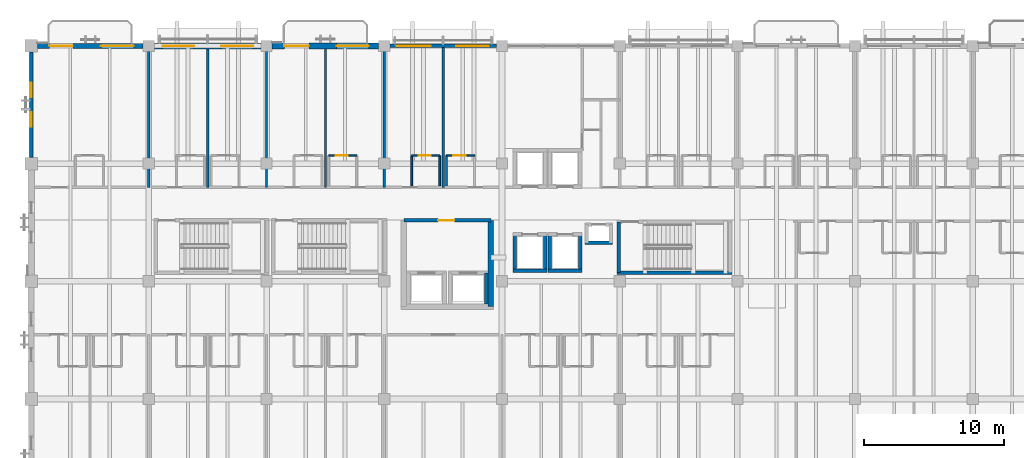
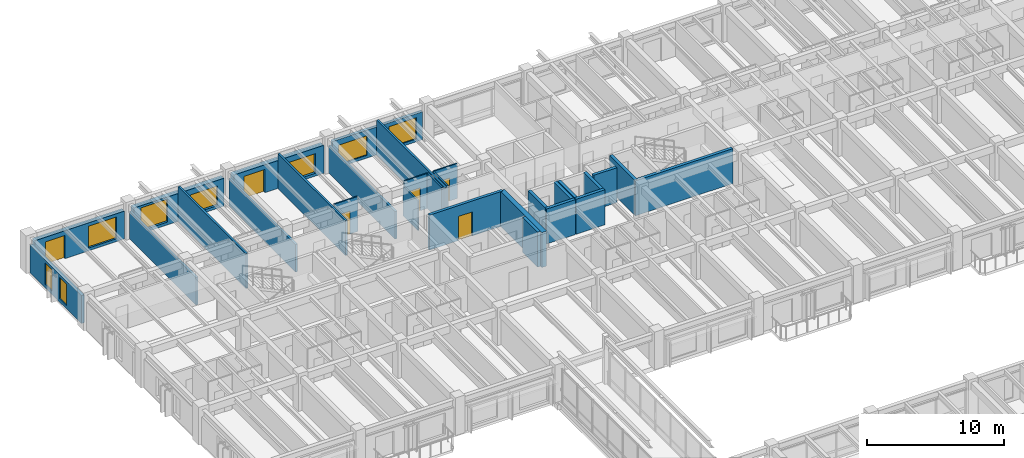
# One storey, part 87 of 123: 29 walls, 8 windows, 6 doors, 14 openings.
"""IFC4 building model written with IfcOpenShell, lengths in metres."""

from ifc_helpers import new_model, si_unit, direction, frame, frame_2d, origin, place, context, subcontext, project, spatial, rectangle, extrude, material, layer, layer_set, type_object, element, fill, save


model = new_model("IFC4")

# Units and contexts
model_context = context("Model", 3, precision=1e-05, world=origin(), true_north=direction((0.0, 1.0)))
body_context = subcontext(model_context, "Body", "Model", "MODEL_VIEW")
ifc_project = project(units=[si_unit("LENGTHUNIT", "METRE"), si_unit("AREAUNIT", "SQUARE_METRE"), si_unit("VOLUMEUNIT", "CUBIC_METRE"), si_unit("PLANEANGLEUNIT", "RADIAN"), si_unit("MASSUNIT", "GRAM", prefix="KILO")], contexts=[model_context])

# Site, building, storey
site_placement = place(None, origin())
site = spatial("IfcSite", under=ifc_project, at=site_placement, CompositionType="ELEMENT")
building_placement = place(site_placement, origin())
building = spatial("IfcBuilding", under=site, at=building_placement, Name="Cumbredor Promenade Congress Hotel", CompositionType="ELEMENT")
storey_placement = place(building_placement, frame((0.0, 0.0, 11.760009765625)))
storey = spatial("IfcBuildingStorey", under=building, at=storey_placement, Name="L03", CompositionType="ELEMENT", Elevation=11.760009765625)

# Wall
ifc_material_1 = material(Name="Concrete C50/60", Category="concrete")
ifc_layer_1 = layer(ifc_material_1, 0.39990234375, Name="Concrete C50/60", Category="concrete")
ifc_layer_set_1 = layer_set([ifc_layer_1], Name="Concrete C50/60")
wall_type_1 = type_object("IfcWallType", Name="Seismic Shear Core Wall 400mm", PredefinedType="SHEAR", material=ifc_layer_set_1)
wall_1_placement = place(storey_placement, frame((32.800048828125, 99.0, 0.0), z_axis=(0.0, 0.0, 1.0), x_axis=(0.0, 1.0, 0.0)))
element("IfcWall", 1, at=wall_1_placement, inside=storey, type_object=wall_type_1, Name="L03 Hotel Core Shear Wall E1", PredefinedType="SHEAR", context=body_context, shape_type="SweptSolid", body=[
    extrude(rectangle(XDim=6.14990234375, YDim=0.39990234375, at=frame_2d((3.074951171875, 0.0))), origin(), (0.0, 0.0, 1.0), 3.119873046875),
])

# Wall, opening, door
ifc_material_2 = material(Name="Moisture-resistant gypsum board on steel studs", Category="steel")
ifc_layer_2 = layer(ifc_material_2, 0.114990234375, Name="Moisture-resistant gypsum board on steel studs", Category="steel")
ifc_layer_set_2 = layer_set([ifc_layer_2], Name="Moisture-resistant gypsum board on steel studs")
wall_type_2 = type_object("IfcWallType", Name="WL-BATH-115", PredefinedType="PARTITIONING", material=ifc_layer_set_2)
wall_2_placement = place(storey_placement, frame((21.239990234375, 109.77001953125, 0.0), z_axis=(0.0, 0.0, 1.0), x_axis=(1.0, 0.0, 0.0)))
wall_2 = element("IfcWall", 2, at=wall_2_placement, inside=storey, type_object=wall_type_2, Name="L03 Interior Partition W-L03-BH-0305", PredefinedType="PARTITIONING", context=body_context, shape_type="SweptSolid", body=[
    extrude(rectangle(XDim=2.0, YDim=0.114990234375, at=frame_2d((1.0, 0.0))), origin(), (0.0, 0.0, 1.0), 3.119873046875),
])
opening_1_placement = place(wall_2_placement, frame((0.5, 0.0, 0.0)))
opening_1 = element("IfcOpeningElement", 3, at=opening_1_placement, cuts=wall_2, Name="Opening ID-01", PredefinedType="OPENING", context=body_context, shape_type="SweptSolid", body=[
    extrude(rectangle(XDim=0.860107421875, YDim=2.050048828125, at=frame_2d((0.43017578125, 1.02490234375))), frame((0.0, 0.0673828125, 0.0), z_axis=(0.0, -1.0, 0.0), x_axis=(1.0, 0.0, 0.0)), (0.0, 0.0, 1.0), 0.135009765625),
])
ifc_material_3 = material(Name="Kiln-dried tropical hardwood", Category="wood")
door_type_1 = type_object("IfcDoorType", Name="DR-BATH-860", OperationType="NOTDEFINED", PredefinedType="DOOR", material=ifc_material_3)
door_1_placement = place(opening_1_placement, origin())
door_1 = element("IfcDoor", 4, at=door_1_placement, inside=storey, type_object=door_type_1, Name="L03 Interior Door W-L03-BH-0305-01", OperationType="SINGLE_SWING_LEFT", OverallHeight=2.050048828125, OverallWidth=0.860107421875, PredefinedType="DOOR", context=body_context, shape_type="SweptSolid", body=[
    extrude(rectangle(XDim=0.860107421875, YDim=2.050048828125, at=frame_2d((0.43017578125, 1.02490234375))), frame((0.0, 0.02490234375, 0.0), z_axis=(0.0, -1.0, 0.0), x_axis=(1.0, 0.0, 0.0)), (0.0, 0.0, 1.0), 0.050048828125),
])
fill(opening_1, door_1)

wall_3_placement = place(storey_placement, frame((27.159912109375, 109.77001953125, 0.0), z_axis=(0.0, 0.0, 1.0), x_axis=(1.0, 0.0, 0.0)))
wall_3 = element("IfcWall", 5, at=wall_3_placement, inside=storey, type_object=wall_type_2, Name="L03 Interior Partition W-L03-BH-0306", PredefinedType="PARTITIONING", context=body_context, shape_type="SweptSolid", body=[
    extrude(rectangle(XDim=2.0, YDim=0.114990234375, at=frame_2d((1.0, 0.0))), origin(), (0.0, 0.0, 1.0), 3.119873046875),
])
opening_2_placement = place(wall_3_placement, frame((0.5, 0.0, 0.0)))
opening_2 = element("IfcOpeningElement", 6, at=opening_2_placement, cuts=wall_3, Name="Opening ID-01", PredefinedType="OPENING", context=body_context, shape_type="SweptSolid", body=[
    extrude(rectangle(XDim=0.860107421875, YDim=2.050048828125, at=frame_2d((0.43017578125, 1.02490234375))), frame((0.0, 0.0673828125, 0.0), z_axis=(0.0, -1.0, 0.0), x_axis=(1.0, 0.0, 0.0)), (0.0, 0.0, 1.0), 0.135009765625),
])
door_2_placement = place(opening_2_placement, origin())
door_2 = element("IfcDoor", 7, at=door_2_placement, inside=storey, type_object=door_type_1, Name="L03 Interior Door W-L03-BH-0306-01", OperationType="SINGLE_SWING_RIGHT", OverallHeight=2.050048828125, OverallWidth=0.860107421875, PredefinedType="DOOR", context=body_context, shape_type="SweptSolid", body=[
    extrude(rectangle(XDim=0.860107421875, YDim=2.050048828125, at=frame_2d((0.43017578125, 1.02490234375))), frame((0.0, 0.02490234375, 0.0), z_axis=(0.0, -1.0, 0.0), x_axis=(1.0, 0.0, 0.0)), (0.0, 0.0, 1.0), 0.050048828125),
])
fill(opening_2, door_2)

# Walls
wall_4_placement = place(storey_placement, frame((27.159912109375, 107.6201171875, 0.0), z_axis=(0.0, 0.0, 1.0), x_axis=(0.0, 1.0, 0.0)))
element("IfcWall", 8, at=wall_4_placement, inside=storey, type_object=wall_type_2, Name="L03 Interior Partition W-L03-BV1-0306", PredefinedType="PARTITIONING", context=body_context, shape_type="SweptSolid", body=[
    extrude(rectangle(XDim=2.14990234375, YDim=0.114990234375, at=frame_2d((1.074951171875, 0.0))), origin(), (0.0, 0.0, 1.0), 2.64208984375),
])
wall_5_placement = place(storey_placement, frame((29.159912109375, 107.6201171875, 0.0), z_axis=(0.0, 0.0, 1.0), x_axis=(0.0, 1.0, 0.0)))
element("IfcWall", 9, at=wall_5_placement, inside=storey, type_object=wall_type_2, Name="L03 Interior Partition W-L03-BV2-0306", PredefinedType="PARTITIONING", context=body_context, shape_type="SweptSolid", body=[
    extrude(rectangle(XDim=2.14990234375, YDim=0.114990234375, at=frame_2d((1.074951171875, 0.0))), origin(), (0.0, 0.0, 1.0), 3.119873046875),
])

# Wall, opening, door
wall_6_placement = place(storey_placement, frame((29.639892578125, 109.77001953125, 0.0), z_axis=(0.0, 0.0, 1.0), x_axis=(1.0, 0.0, 0.0)))
wall_6 = element("IfcWall", 10, at=wall_6_placement, inside=storey, type_object=wall_type_2, Name="L03 Interior Partition W-L03-BH-0307", PredefinedType="PARTITIONING", context=body_context, shape_type="SweptSolid", body=[
    extrude(rectangle(XDim=2.0, YDim=0.114990234375, at=frame_2d((1.0, 0.0))), origin(), (0.0, 0.0, 1.0), 3.119873046875),
])
opening_3_placement = place(wall_6_placement, frame((0.5, 0.0, 0.0)))
opening_3 = element("IfcOpeningElement", 11, at=opening_3_placement, cuts=wall_6, Name="Opening ID-01", PredefinedType="OPENING", context=body_context, shape_type="SweptSolid", body=[
    extrude(rectangle(XDim=0.860107421875, YDim=2.050048828125, at=frame_2d((0.43017578125, 1.02490234375))), frame((0.0, 0.0673828125, 0.0), z_axis=(0.0, -1.0, 0.0), x_axis=(1.0, 0.0, 0.0)), (0.0, 0.0, 1.0), 0.135009765625),
])
door_3_placement = place(opening_3_placement, origin())
door_3 = element("IfcDoor", 12, at=door_3_placement, inside=storey, type_object=door_type_1, Name="L03 Interior Door W-L03-BH-0307-01", OperationType="SINGLE_SWING_LEFT", OverallHeight=2.050048828125, OverallWidth=0.860107421875, PredefinedType="DOOR", context=body_context, shape_type="SweptSolid", body=[
    extrude(rectangle(XDim=0.860107421875, YDim=2.050048828125, at=frame_2d((0.43017578125, 1.02490234375))), frame((0.0, 0.02490234375, 0.0), z_axis=(0.0, -1.0, 0.0), x_axis=(1.0, 0.0, 0.0)), (0.0, 0.0, 1.0), 0.050048828125),
])
fill(opening_3, door_3)

# Wall
wall_7_placement = place(storey_placement, frame((29.639892578125, 107.6201171875, 0.0), z_axis=(0.0, 0.0, 1.0), x_axis=(0.0, 1.0, 0.0)))
element("IfcWall", 13, at=wall_7_placement, inside=storey, type_object=wall_type_2, Name="L03 Interior Partition W-L03-BV1-0307", PredefinedType="PARTITIONING", context=body_context, shape_type="SweptSolid", body=[
    extrude(rectangle(XDim=2.14990234375, YDim=0.114990234375, at=frame_2d((1.074951171875, 0.0))), origin(), (0.0, 0.0, 1.0), 3.119873046875),
])

# Wall, openings, windows
ifc_material_4 = material(Name="Concrete C40/50", Category="concrete")
ifc_layer_3 = layer(ifc_material_4, 0.260009765625, Name="Concrete C40/50", Category="concrete")
ifc_layer_set_3 = layer_set([ifc_layer_3], Name="Concrete C40/50")
wall_type_3 = type_object("IfcWallType", Name="WL-EXT-260", PredefinedType="SOLIDWALL", material=ifc_layer_set_3)
wall_8_placement = place(storey_placement, frame((25.60107421875, 117.60009765625, 0.0), z_axis=(0.0, 0.0, 1.0), x_axis=(1.0, 0.0, 0.0)))
wall_8 = element("IfcWall", 14, at=wall_8_placement, inside=storey, type_object=wall_type_3, Name="L03 Stepped Congress Hotel Wing North Envelope Wall 4", PredefinedType="SOLIDWALL", context=body_context, shape_type="SweptSolid", body=[
    extrude(rectangle(XDim=7.597900390625, YDim=0.260009765625, at=frame_2d((3.798828125, 0.0))), origin(), (0.0, 0.0, 1.0), 2.493896484375),
])
opening_4_placement = place(wall_8_placement, frame((0.4990234375, 0.0, 0.25)))
opening_4 = element("IfcOpeningElement", 15, at=opening_4_placement, cuts=wall_8, Name="Opening WN-26", PredefinedType="OPENING", context=body_context, shape_type="SweptSolid", body=[
    extrude(rectangle(XDim=2.39990234375, YDim=1.75, at=frame_2d((1.199951171875, 0.875))), frame((0.0, 0.14013671875, 0.0), z_axis=(0.0, -1.0, 0.0), x_axis=(1.0, 0.0, 0.0)), (0.0, 0.0, 1.0), 0.280029296875),
])
opening_5_placement = place(wall_8_placement, frame((4.739013671875, 0.0, 0.25)))
opening_5 = element("IfcOpeningElement", 16, at=opening_5_placement, cuts=wall_8, Name="Opening WN-36", PredefinedType="OPENING", context=body_context, shape_type="SweptSolid", body=[
    extrude(rectangle(XDim=2.320068359375, YDim=1.89990234375, at=frame_2d((1.16015625, 0.949951171875))), frame((0.0, 0.14013671875, 0.0), z_axis=(0.0, -1.0, 0.0), x_axis=(1.0, 0.0, 0.0)), (0.0, 0.0, 1.0), 0.280029296875),
])
ifc_material_5 = material(Name="Thermally broken anodized aluminium and low-E glass", Category="aluminium")
window_type_1 = type_object("IfcWindowType", Name="Hospitality Floor-to-Ceiling Window WN-26 2400x1750", PartitioningType="DOUBLE_PANEL_VERTICAL", PredefinedType="WINDOW", material=ifc_material_5)
window_1_placement = place(opening_4_placement, origin())
window_1 = element("IfcWindow", 17, at=window_1_placement, inside=storey, type_object=window_type_1, Name="L03 Wide Hospitality Window 0420", OverallHeight=1.75, OverallWidth=2.39990234375, PartitioningType="DOUBLE_PANEL_VERTICAL", PredefinedType="WINDOW", context=body_context, shape_type="SweptSolid", body=[
    extrude(rectangle(XDim=2.39990234375, YDim=1.75, at=frame_2d((1.199951171875, 0.875))), frame((0.0, 0.030029296875, 0.0), z_axis=(0.0, -1.0, 0.0), x_axis=(1.0, 0.0, 0.0)), (0.0, 0.0, 1.0), 0.06005859375),
])
fill(opening_4, window_1)
window_type_2 = type_object("IfcWindowType", Name="Hospitality Floor-to-Ceiling Window WN-36 2320x1900", PartitioningType="DOUBLE_PANEL_VERTICAL", PredefinedType="WINDOW", material=ifc_material_5)
window_2_placement = place(opening_5_placement, origin())
window_2 = element("IfcWindow", 18, at=window_2_placement, inside=storey, type_object=window_type_2, Name="L03 Wide Hospitality Window 0421", OverallHeight=1.89990234375, OverallWidth=2.320068359375, PartitioningType="DOUBLE_PANEL_VERTICAL", PredefinedType="WINDOW", context=body_context, shape_type="SweptSolid", body=[
    extrude(rectangle(XDim=2.320068359375, YDim=1.89990234375, at=frame_2d((1.16015625, 0.949951171875))), frame((0.0, 0.030029296875, 0.0), z_axis=(0.0, -1.0, 0.0), x_axis=(1.0, 0.0, 0.0)), (0.0, 0.0, 1.0), 0.06005859375),
])
fill(opening_5, window_2)

wall_9_placement = place(storey_placement, frame((0.0, 109.65087890625, 0.0), z_axis=(0.0, 0.0, 1.0), x_axis=(0.0, 1.0, 0.0)))
wall_9 = element("IfcWall", 19, at=wall_9_placement, inside=storey, type_object=wall_type_3, Name="L03 Stepped Congress Hotel Wing West Envelope Wall 4", PredefinedType="SOLIDWALL", context=body_context, shape_type="SweptSolid", body=[
    extrude(rectangle(XDim=7.498046875, YDim=0.260009765625, at=frame_2d((3.7490234375, 0.0))), origin(), (0.0, 0.0, 1.0), 2.493896484375),
])
opening_6_placement = place(wall_9_placement, frame((2.18896484375, 0.0, 0.300048828125)))
opening_6 = element("IfcOpeningElement", 20, at=opening_6_placement, cuts=wall_9, Name="Opening WN-69", PredefinedType="OPENING", context=body_context, shape_type="SweptSolid", body=[
    extrude(rectangle(XDim=1.02001953125, YDim=1.89990234375, at=frame_2d((0.510009765625, 0.949951171875))), frame((0.0, 0.14013671875, 0.0), z_axis=(0.0, -1.0, 0.0), x_axis=(1.0, 0.0, 0.0)), (0.0, 0.0, 1.0), 0.280029296875),
])
opening_7_placement = place(wall_9_placement, frame((4.2890625, 0.0, 0.300048828125)))
opening_7 = element("IfcOpeningElement", 21, at=opening_7_placement, cuts=wall_9, Name="Opening WN-69", PredefinedType="OPENING", context=body_context, shape_type="SweptSolid", body=[
    extrude(rectangle(XDim=1.02001953125, YDim=1.89990234375, at=frame_2d((0.510009765625, 0.949951171875))), frame((0.0, 0.14013671875, 0.0), z_axis=(0.0, -1.0, 0.0), x_axis=(1.0, 0.0, 0.0)), (0.0, 0.0, 1.0), 0.280029296875),
])
window_type_3 = type_object("IfcWindowType", Name="Vertical Slot Window WN-69 1020x1900", PartitioningType="SINGLE_PANEL", PredefinedType="WINDOW", material=ifc_material_5)
window_3_placement = place(opening_6_placement, origin())
window_3 = element("IfcWindow", 22, at=window_3_placement, inside=storey, type_object=window_type_3, Name="L03 Vertical Slot Window 0436", OverallHeight=1.89990234375, OverallWidth=1.02001953125, PartitioningType="SINGLE_PANEL", PredefinedType="WINDOW", context=body_context, shape_type="SweptSolid", body=[
    extrude(rectangle(XDim=1.02001953125, YDim=1.89990234375, at=frame_2d((0.510009765625, 0.949951171875))), frame((0.0, 0.030029296875, 0.0), z_axis=(0.0, -1.0, 0.0), x_axis=(1.0, 0.0, 0.0)), (0.0, 0.0, 1.0), 0.06005859375),
])
fill(opening_6, window_3)
window_4_placement = place(opening_7_placement, origin())
window_4 = element("IfcWindow", 23, at=window_4_placement, inside=storey, type_object=window_type_3, Name="L03 Vertical Slot Window 0437", OverallHeight=1.89990234375, OverallWidth=1.02001953125, PartitioningType="SINGLE_PANEL", PredefinedType="WINDOW", context=body_context, shape_type="SweptSolid", body=[
    extrude(rectangle(XDim=1.02001953125, YDim=1.89990234375, at=frame_2d((0.510009765625, 0.949951171875))), frame((0.0, 0.030029296875, 0.0), z_axis=(0.0, -1.0, 0.0), x_axis=(1.0, 0.0, 0.0)), (0.0, 0.0, 1.0), 0.06005859375),
])
fill(opening_7, window_4)

# Wall, openings, door, window
ifc_layer_4 = layer(ifc_material_4, 0.3798828125, Name="Concrete C40/50", Category="concrete")
ifc_layer_set_4 = layer_set([ifc_layer_4], Name="Concrete C40/50")
wall_type_4 = type_object("IfcWallType", Name="WL-EXT-380", PredefinedType="SOLIDWALL", material=ifc_layer_set_4)
wall_10_placement = place(storey_placement, frame((0.450927734375, 117.60009765625, 0.0), z_axis=(0.0, 0.0, 1.0), x_axis=(1.0, 0.0, 0.0)))
wall_10 = element("IfcWall", 24, at=wall_10_placement, inside=storey, type_object=wall_type_4, Name="L03 Stepped Congress Hotel Wing North Envelope Wall 1", PredefinedType="SOLIDWALL", context=body_context, shape_type="SweptSolid", body=[
    extrude(rectangle(XDim=7.548095703125, YDim=0.3798828125, at=frame_2d((3.77392578125, 0.0))), origin(), (0.0, 0.0, 1.0), 2.493896484375),
])
opening_8_placement = place(wall_10_placement, frame((0.8740234375, 0.0, 0.0)))
opening_8 = element("IfcOpeningElement", 25, at=opening_8_placement, cuts=wall_10, Name="Opening TD-02", PredefinedType="OPENING", context=body_context, shape_type="SweptSolid", body=[
    extrude(rectangle(XDim=1.64990234375, YDim=2.080078125, at=frame_2d((0.824951171875, 1.0400390625))), frame((0.0, 0.199951171875, 0.0), z_axis=(0.0, -1.0, 0.0), x_axis=(1.0, 0.0, 0.0)), (0.0, 0.0, 1.0), 0.39990234375),
])
opening_9_placement = place(wall_10_placement, frame((4.52392578125, 0.0, 0.25)))
opening_9 = element("IfcOpeningElement", 26, at=opening_9_placement, cuts=wall_10, Name="Opening WN-08", PredefinedType="OPENING", context=body_context, shape_type="SweptSolid", body=[
    extrude(rectangle(XDim=2.35009765625, YDim=1.949951171875, at=frame_2d((1.175048828125, 0.97509765625))), frame((0.0, 0.199951171875, 0.0), z_axis=(0.0, -1.0, 0.0), x_axis=(1.0, 0.0, 0.0)), (0.0, 0.0, 1.0), 0.39990234375),
])
ifc_material_6 = material(Name="Thermally broken anodized aluminium and laminated safety glass", Category="aluminium")
door_type_2 = type_object("IfcDoorType", Name="EXT-DR-TER-1650x2080", OperationType="DOUBLE_DOOR_SINGLE_SWING", PredefinedType="DOOR", material=ifc_material_6)
door_4_placement = place(opening_8_placement, origin())
door_4 = element("IfcDoor", 27, at=door_4_placement, inside=storey, type_object=door_type_2, Name="L03 Guestroom Veranda Balcony Door 046", OperationType="DOUBLE_DOOR_SINGLE_SWING", OverallHeight=2.080078125, OverallWidth=1.64990234375, PredefinedType="DOOR", context=body_context, shape_type="SweptSolid", body=[
    extrude(rectangle(XDim=1.64990234375, YDim=2.080078125, at=frame_2d((0.824951171875, 1.0400390625))), frame((0.0, 0.02490234375, 0.0), z_axis=(0.0, -1.0, 0.0), x_axis=(1.0, 0.0, 0.0)), (0.0, 0.0, 1.0), 0.050048828125),
])
fill(opening_8, door_4)
window_type_4 = type_object("IfcWindowType", Name="Hospitality Floor-to-Ceiling Window WN-08 2350x1950", PartitioningType="DOUBLE_PANEL_VERTICAL", PredefinedType="WINDOW", material=ifc_material_5)
window_5_placement = place(opening_9_placement, origin())
window_5 = element("IfcWindow", 28, at=window_5_placement, inside=storey, type_object=window_type_4, Name="L03 Veranda Companion Floor-to-Ceiling Window 0416", OverallHeight=1.949951171875, OverallWidth=2.35009765625, PartitioningType="DOUBLE_PANEL_VERTICAL", PredefinedType="WINDOW", context=body_context, shape_type="SweptSolid", body=[
    extrude(rectangle(XDim=2.35009765625, YDim=1.949951171875, at=frame_2d((1.175048828125, 0.97509765625))), frame((0.0, 0.030029296875, 0.0), z_axis=(0.0, -1.0, 0.0), x_axis=(1.0, 0.0, 0.0)), (0.0, 0.0, 1.0), 0.06005859375),
])
fill(opening_9, window_5)

# Wall, openings, windows
ifc_layer_5 = layer(ifc_material_4, 0.425048828125, Name="Concrete C40/50", Category="concrete")
ifc_layer_set_5 = layer_set([ifc_layer_5], Name="Concrete C40/50")
wall_type_5 = type_object("IfcWallType", Name="WL-EXT-425", PredefinedType="SOLIDWALL", material=ifc_layer_set_5)
wall_11_placement = place(storey_placement, frame((8.801025390625, 117.60009765625, 0.0), z_axis=(0.0, 0.0, 1.0), x_axis=(1.0, 0.0, 0.0)))
wall_11 = element("IfcWall", 29, at=wall_11_placement, inside=storey, type_object=wall_type_5, Name="L03 Stepped Congress Hotel Wing North Envelope Wall 2", PredefinedType="SOLIDWALL", context=body_context, shape_type="SweptSolid", body=[
    extrude(rectangle(XDim=7.597900390625, YDim=0.425048828125, at=frame_2d((3.798828125, 0.0))), origin(), (0.0, 0.0, 1.0), 2.493896484375),
])
opening_10_placement = place(wall_11_placement, frame((0.573974609375, 0.0, 0.25)))
opening_10 = element("IfcOpeningElement", 30, at=opening_10_placement, cuts=wall_11, Name="Opening WN-13", PredefinedType="OPENING", context=body_context, shape_type="SweptSolid", body=[
    extrude(rectangle(XDim=2.25, YDim=2.050048828125, at=frame_2d((1.125, 1.02490234375))), frame((0.0, 0.22265625, 0.0), z_axis=(0.0, -1.0, 0.0), x_axis=(1.0, 0.0, 0.0)), (0.0, 0.0, 1.0), 0.445068359375),
])
opening_11_placement = place(wall_11_placement, frame((4.7490234375, 0.0, 0.25)))
opening_11 = element("IfcOpeningElement", 31, at=opening_11_placement, cuts=wall_11, Name="Opening WN-25", PredefinedType="OPENING", context=body_context, shape_type="SweptSolid", body=[
    extrude(rectangle(XDim=2.300048828125, YDim=1.75, at=frame_2d((1.14990234375, 0.875))), frame((0.0, 0.22265625, 0.0), z_axis=(0.0, -1.0, 0.0), x_axis=(1.0, 0.0, 0.0)), (0.0, 0.0, 1.0), 0.445068359375),
])
window_type_5 = type_object("IfcWindowType", Name="Hospitality Floor-to-Ceiling Window WN-13 2250x2050", PartitioningType="DOUBLE_PANEL_VERTICAL", PredefinedType="WINDOW", material=ifc_material_5)
window_6_placement = place(opening_10_placement, origin())
window_6 = element("IfcWindow", 32, at=window_6_placement, inside=storey, type_object=window_type_5, Name="L03 Wide Hospitality Window 0417", OverallHeight=2.050048828125, OverallWidth=2.25, PartitioningType="DOUBLE_PANEL_VERTICAL", PredefinedType="WINDOW", context=body_context, shape_type="SweptSolid", body=[
    extrude(rectangle(XDim=2.25, YDim=2.050048828125, at=frame_2d((1.125, 1.02490234375))), frame((0.0, 0.030029296875, 0.0), z_axis=(0.0, -1.0, 0.0), x_axis=(1.0, 0.0, 0.0)), (0.0, 0.0, 1.0), 0.06005859375),
])
fill(opening_10, window_6)
window_type_6 = type_object("IfcWindowType", Name="Hospitality Floor-to-Ceiling Window WN-25 2300x1750", PartitioningType="DOUBLE_PANEL_VERTICAL", PredefinedType="WINDOW", material=ifc_material_5)
window_7_placement = place(opening_11_placement, origin())
window_7 = element("IfcWindow", 33, at=window_7_placement, inside=storey, type_object=window_type_6, Name="L03 Wide Hospitality Window 0418", OverallHeight=1.75, OverallWidth=2.300048828125, PartitioningType="DOUBLE_PANEL_VERTICAL", PredefinedType="WINDOW", context=body_context, shape_type="SweptSolid", body=[
    extrude(rectangle(XDim=2.300048828125, YDim=1.75, at=frame_2d((1.14990234375, 0.875))), frame((0.0, 0.030029296875, 0.0), z_axis=(0.0, -1.0, 0.0), x_axis=(1.0, 0.0, 0.0)), (0.0, 0.0, 1.0), 0.06005859375),
])
fill(opening_11, window_7)

# Wall, openings, door, window
ifc_layer_6 = layer(ifc_material_4, 0.449951171875, Name="Concrete C40/50", Category="concrete")
ifc_layer_set_6 = layer_set([ifc_layer_6], Name="Concrete C40/50")
wall_type_6 = type_object("IfcWallType", Name="WL-EXT-450", PredefinedType="SOLIDWALL", material=ifc_layer_set_6)
wall_12_placement = place(storey_placement, frame((17.200927734375, 117.60009765625, 0.0), z_axis=(0.0, 0.0, 1.0), x_axis=(1.0, 0.0, 0.0)))
wall_12 = element("IfcWall", 34, at=wall_12_placement, inside=storey, type_object=wall_type_6, Name="L03 Stepped Congress Hotel Wing North Envelope Wall 3", PredefinedType="SOLIDWALL", context=body_context, shape_type="SweptSolid", body=[
    extrude(rectangle(XDim=7.59814453125, YDim=0.449951171875, at=frame_2d((3.799072265625, 0.0))), origin(), (0.0, 0.0, 1.0), 2.493896484375),
])
opening_12_placement = place(wall_12_placement, frame((0.8740234375, 0.0, 0.0)))
opening_12 = element("IfcOpeningElement", 35, at=opening_12_placement, cuts=wall_12, Name="Opening TD-03", PredefinedType="OPENING", context=body_context, shape_type="SweptSolid", body=[
    extrude(rectangle(XDim=1.75, YDim=2.080078125, at=frame_2d((0.875, 1.0400390625))), frame((0.0, 0.23486328125, 0.0), z_axis=(0.0, -1.0, 0.0), x_axis=(1.0, 0.0, 0.0)), (0.0, 0.0, 1.0), 0.469970703125),
])
opening_13_placement = place(wall_12_placement, frame((4.59912109375, 0.0, 0.25)))
opening_13 = element("IfcOpeningElement", 36, at=opening_13_placement, cuts=wall_12, Name="Opening WN-25", PredefinedType="OPENING", context=body_context, shape_type="SweptSolid", body=[
    extrude(rectangle(XDim=2.300048828125, YDim=1.75, at=frame_2d((1.14990234375, 0.875))), frame((0.0, 0.23486328125, 0.0), z_axis=(0.0, -1.0, 0.0), x_axis=(1.0, 0.0, 0.0)), (0.0, 0.0, 1.0), 0.469970703125),
])
door_type_3 = type_object("IfcDoorType", Name="EXT-DR-TER-1750x2080", OperationType="DOUBLE_DOOR_SINGLE_SWING", PredefinedType="DOOR", material=ifc_material_6)
door_5_placement = place(opening_12_placement, origin())
door_5 = element("IfcDoor", 37, at=door_5_placement, inside=storey, type_object=door_type_3, Name="L03 Guestroom Veranda Balcony Door 047", OperationType="DOUBLE_DOOR_SINGLE_SWING", OverallHeight=2.080078125, OverallWidth=1.75, PredefinedType="DOOR", context=body_context, shape_type="SweptSolid", body=[
    extrude(rectangle(XDim=1.75, YDim=2.080078125, at=frame_2d((0.875, 1.0400390625))), frame((0.0, 0.02490234375, 0.0), z_axis=(0.0, -1.0, 0.0), x_axis=(1.0, 0.0, 0.0)), (0.0, 0.0, 1.0), 0.050048828125),
])
fill(opening_12, door_5)
window_8_placement = place(opening_13_placement, origin())
window_8 = element("IfcWindow", 38, at=window_8_placement, inside=storey, type_object=window_type_6, Name="L03 Veranda Companion Floor-to-Ceiling Window 0419", OverallHeight=1.75, OverallWidth=2.300048828125, PartitioningType="DOUBLE_PANEL_VERTICAL", PredefinedType="WINDOW", context=body_context, shape_type="SweptSolid", body=[
    extrude(rectangle(XDim=2.300048828125, YDim=1.75, at=frame_2d((1.14990234375, 0.875))), frame((0.0, 0.030029296875, 0.0), z_axis=(0.0, -1.0, 0.0), x_axis=(1.0, 0.0, 0.0)), (0.0, 0.0, 1.0), 0.06005859375),
])
fill(opening_13, window_8)

# Wall, opening, door
ifc_layer_7 = layer(ifc_material_4, 0.239990234375, Name="Concrete C40/50", Category="concrete")
ifc_layer_set_7 = layer_set([ifc_layer_7], Name="Concrete C40/50")
wall_type_7 = type_object("IfcWallType", Name="WL-FFL-240", PredefinedType="SOLIDWALL", material=ifc_layer_set_7)
wall_13_placement = place(storey_placement, frame((26.60009765625, 105.14990234375, 0.0), z_axis=(0.0, 0.0, 1.0), x_axis=(1.0, 0.0, 0.0)))
wall_13 = element("IfcWall", 39, at=wall_13_placement, inside=storey, type_object=wall_type_7, Name="L03 Interior Partition W-FFL-L03-N", PredefinedType="SOLIDWALL", context=body_context, shape_type="SweptSolid", body=[
    extrude(rectangle(XDim=6.199951171875, YDim=0.239990234375, at=frame_2d((3.10009765625, 0.0))), origin(), (0.0, 0.0, 1.0), 3.119873046875),
])
opening_14_placement = place(wall_13_placement, frame((2.449951171875, 0.0, 0.0)))
opening_14 = element("IfcOpeningElement", 40, at=opening_14_placement, cuts=wall_13, Name="Opening FD-05", PredefinedType="OPENING", context=body_context, shape_type="SweptSolid", body=[
    extrude(rectangle(XDim=1.14990234375, YDim=2.14990234375, at=frame_2d((0.574951171875, 1.074951171875))), frame((0.0, 0.1298828125, 0.0), z_axis=(0.0, -1.0, 0.0), x_axis=(1.0, 0.0, 0.0)), (0.0, 0.0, 1.0), 0.260009765625),
])
ifc_material_7 = material(Name="Painted galvanized steel fire door", Category="steel")
door_type_4 = type_object("IfcDoorType", Name="DR-SGL-FD60-1150", OperationType="NOTDEFINED", PredefinedType="DOOR", material=ifc_material_7)
door_6_placement = place(opening_14_placement, origin())
door_6 = element("IfcDoor", 41, at=door_6_placement, inside=storey, type_object=door_type_4, Name="L03 Interior Door W-FFL-L03-N-01", OperationType="SINGLE_SWING_RIGHT", OverallHeight=2.14990234375, OverallWidth=1.14990234375, PredefinedType="DOOR", context=body_context, shape_type="SweptSolid", body=[
    extrude(rectangle(XDim=1.14990234375, YDim=2.14990234375, at=frame_2d((0.574951171875, 1.074951171875))), frame((0.0, 0.02490234375, 0.0), z_axis=(0.0, -1.0, 0.0), x_axis=(1.0, 0.0, 0.0)), (0.0, 0.0, 1.0), 0.050048828125),
])
fill(opening_14, door_6)

# Walls
ifc_layer_8 = layer(ifc_material_4, 0.2548828125, Name="Concrete C40/50", Category="concrete")
ifc_layer_set_8 = layer_set([ifc_layer_8], Name="Concrete C40/50")
wall_type_8 = type_object("IfcWallType", Name="WL-SHAFT-250", PredefinedType="SOLIDWALL", material=ifc_layer_set_8)
wall_14_placement = place(storey_placement, frame((41.802490234375, 101.419921875, 0.0), z_axis=(0.0, 0.0, 1.0), x_axis=(1.0, 0.0, 0.0)))
element("IfcWall", 42, at=wall_14_placement, inside=storey, type_object=wall_type_8, Name="STAIR-ST-03-L03 Shaft Wall South", PredefinedType="SOLIDWALL", context=body_context, shape_type="SweptSolid", body=[
    extrude(rectangle(XDim=8.22509765625, YDim=0.2548828125, at=frame_2d((4.112548828125, 0.0))), origin(), (0.0, 0.0, 1.0), 3.119873046875),
])
wall_15_placement = place(storey_placement, frame((41.929931640625, 101.419921875, 0.0), z_axis=(0.0, 0.0, 1.0), x_axis=(0.0, 1.0, 0.0)))
element("IfcWall", 43, at=wall_15_placement, inside=storey, type_object=wall_type_8, Name="STAIR-ST-03-L03 Shaft Wall West", PredefinedType="SOLIDWALL", context=body_context, shape_type="SweptSolid", body=[
    extrude(rectangle(XDim=3.630126953125, YDim=0.2548828125, at=frame_2d((1.81494140625, 0.0))), origin(), (0.0, 0.0, 1.0), 3.119873046875),
])
wall_16_placement = place(storey_placement, frame((32.469970703125, 99.199951171875, 0.0), z_axis=(0.0, 0.0, 1.0), x_axis=(0.0, 1.0, 0.0)))
element("IfcWall", 44, at=wall_16_placement, inside=storey, type_object=wall_type_8, Name="SHAFT-FF-02-L03 Shaft Wall East", PredefinedType="SOLIDWALL", context=body_context, shape_type="SweptSolid", body=[
    extrude(rectangle(XDim=2.199951171875, YDim=0.2548828125, at=frame_2d((1.10009765625, 0.0))), origin(), (0.0, 0.0, 1.0), 3.119873046875),
])
wall_17_placement = place(storey_placement, frame((34.37255859375, 101.550048828125, 0.0), z_axis=(0.0, 0.0, 1.0), x_axis=(1.0, 0.0, 0.0)))
element("IfcWall", 45, at=wall_17_placement, inside=storey, type_object=wall_type_8, Name="SHAFT-PL-03-L03 Shaft Wall South", PredefinedType="SOLIDWALL", context=body_context, shape_type="SweptSolid", body=[
    extrude(rectangle(XDim=2.454833984375, YDim=0.2548828125, at=frame_2d((1.2275390625, 0.0))), origin(), (0.0, 0.0, 1.0), 3.119873046875),
])
for number, where, z_axis, x_axis, name in (
    (46, (34.5, 101.550048828125, 0.0), (0.0, 0.0, 1.0), (0.0, 1.0, 0.0), "SHAFT-PL-03-L03 Shaft Wall West"),
    (47, (36.699951171875, 101.550048828125, 0.0), (0.0, 0.0, 1.0), (0.0, 1.0, 0.0), "SHAFT-PL-03-L03 Shaft Wall East"),
):
    element("IfcWall", number, at=place(storey_placement, frame(where, z_axis=z_axis, x_axis=x_axis)), inside=storey, type_object=wall_type_8, Name=name, PredefinedType="SOLIDWALL", context=body_context, shape_type="SweptSolid", body=[
        extrude(rectangle(XDim=2.599853515625, YDim=0.2548828125, at=frame_2d((1.2998046875, 0.0))), origin(), (0.0, 0.0, 1.0), 3.119873046875),
    ])
wall_18_placement = place(storey_placement, frame((36.87255859375, 101.550048828125, 0.0), z_axis=(0.0, 0.0, 1.0), x_axis=(1.0, 0.0, 0.0)))
element("IfcWall", 48, at=wall_18_placement, inside=storey, type_object=wall_type_8, Name="SHAFT-PL-04-L03 Shaft Wall South", PredefinedType="SOLIDWALL", context=body_context, shape_type="SweptSolid", body=[
    extrude(rectangle(XDim=2.454833984375, YDim=0.2548828125, at=frame_2d((1.2275390625, 0.0))), origin(), (0.0, 0.0, 1.0), 3.119873046875),
])
for number, where, z_axis, x_axis, name in (
    (49, (37.0, 101.550048828125, 0.0), (0.0, 0.0, 1.0), (0.0, 1.0, 0.0), "SHAFT-PL-04-L03 Shaft Wall West"),
    (50, (39.199951171875, 101.550048828125, 0.0), (0.0, 0.0, 1.0), (0.0, 1.0, 0.0), "SHAFT-PL-04-L03 Shaft Wall East"),
):
    element("IfcWall", number, at=place(storey_placement, frame(where, z_axis=z_axis, x_axis=x_axis)), inside=storey, type_object=wall_type_8, Name=name, PredefinedType="SOLIDWALL", context=body_context, shape_type="SweptSolid", body=[
        extrude(rectangle(XDim=2.599853515625, YDim=0.2548828125, at=frame_2d((1.2998046875, 0.0))), origin(), (0.0, 0.0, 1.0), 3.119873046875),
    ])
wall_19_placement = place(storey_placement, frame((39.5224609375, 103.550048828125, 0.0), z_axis=(0.0, 0.0, 1.0), x_axis=(1.0, 0.0, 0.0)))
element("IfcWall", 51, at=wall_19_placement, inside=storey, type_object=wall_type_8, Name="RISER-MEP-R1-L03 Shaft Wall South", PredefinedType="SOLIDWALL", context=body_context, shape_type="SweptSolid", body=[
    extrude(rectangle(XDim=1.955078125, YDim=0.2548828125, at=frame_2d((0.9775390625, 0.0))), origin(), (0.0, 0.0, 1.0), 3.119873046875),
])
ifc_material_8 = material(Name="Fire-rated acoustic double-stud partition")
ifc_layer_9 = layer(ifc_material_8, 0.1650390625, Name="Fire-rated acoustic double-stud partition")
ifc_layer_set_9 = layer_set([ifc_layer_9], Name="Fire-rated acoustic double-stud partition")
wall_type_9 = type_object("IfcWallType", Name="WL-UNIT-165", PredefinedType="PARTITIONING", material=ifc_layer_set_9)
wall_20_placement = place(storey_placement, frame((12.60009765625, 107.5, 0.0), z_axis=(0.0, 0.0, 1.0), x_axis=(0.0, 1.0, 0.0)))
element("IfcWall", 52, at=wall_20_placement, inside=storey, type_object=wall_type_9, Name="L03 Interior Partition W-L03-N-DIV-1-M", PredefinedType="PARTITIONING", context=body_context, shape_type="SweptSolid", body=[
    extrude(rectangle(XDim=9.887451171875, YDim=0.1650390625, at=frame_2d((4.94384765625, 0.0))), origin(), (0.0, 0.0, 1.0), 3.119873046875),
])
wall_21_placement = place(storey_placement, frame((8.39990234375, 107.5, 0.0), z_axis=(0.0, 0.0, 1.0), x_axis=(0.0, 1.0, 0.0)))
element("IfcWall", 53, at=wall_21_placement, inside=storey, type_object=wall_type_9, Name="L03 Interior Partition W-L03-N-DIV-1-G", PredefinedType="PARTITIONING", context=body_context, shape_type="SweptSolid", body=[
    extrude(rectangle(XDim=9.75, YDim=0.1650390625, at=frame_2d((4.875, 0.0))), origin(), (0.0, 0.0, 1.0), 2.455078125),
])
wall_22_placement = place(storey_placement, frame((21.0, 107.5, 0.0), z_axis=(0.0, 0.0, 1.0), x_axis=(0.0, 1.0, 0.0)))
element("IfcWall", 54, at=wall_22_placement, inside=storey, type_object=wall_type_9, Name="L03 Interior Partition W-L03-N-DIV-2-M", PredefinedType="PARTITIONING", context=body_context, shape_type="SweptSolid", body=[
    extrude(rectangle(XDim=9.875, YDim=0.1650390625, at=frame_2d((4.9375, 0.0))), origin(), (0.0, 0.0, 1.0), 3.119873046875),
])
wall_23_placement = place(storey_placement, frame((16.800048828125, 107.5, 0.0), z_axis=(0.0, 0.0, 1.0), x_axis=(0.0, 1.0, 0.0)))
element("IfcWall", 55, at=wall_23_placement, inside=storey, type_object=wall_type_9, Name="L03 Interior Partition W-L03-N-DIV-2-G", PredefinedType="PARTITIONING", context=body_context, shape_type="SweptSolid", body=[
    extrude(rectangle(XDim=9.75, YDim=0.1650390625, at=frame_2d((4.875, 0.0))), origin(), (0.0, 0.0, 1.0), 2.455078125),
])
wall_24_placement = place(storey_placement, frame((29.39990234375, 107.5, 0.0), z_axis=(0.0, 0.0, 1.0), x_axis=(0.0, 1.0, 0.0)))
element("IfcWall", 56, at=wall_24_placement, inside=storey, type_object=wall_type_9, Name="L03 Interior Partition W-L03-N-DIV-3-M", PredefinedType="PARTITIONING", context=body_context, shape_type="SweptSolid", body=[
    extrude(rectangle(XDim=9.969970703125, YDim=0.1650390625, at=frame_2d((4.98486328125, 0.0))), origin(), (0.0, 0.0, 1.0), 3.119873046875),
])
wall_25_placement = place(storey_placement, frame((25.199951171875, 107.5, 0.0), z_axis=(0.0, 0.0, 1.0), x_axis=(0.0, 1.0, 0.0)))
element("IfcWall", 57, at=wall_25_placement, inside=storey, type_object=wall_type_9, Name="L03 Interior Partition W-L03-N-DIV-3-G", PredefinedType="PARTITIONING", context=body_context, shape_type="SweptSolid", body=[
    extrude(rectangle(XDim=9.75, YDim=0.1650390625, at=frame_2d((4.875, 0.0))), origin(), (0.0, 0.0, 1.0), 2.455078125),
])

save(model, "model.ifc")
